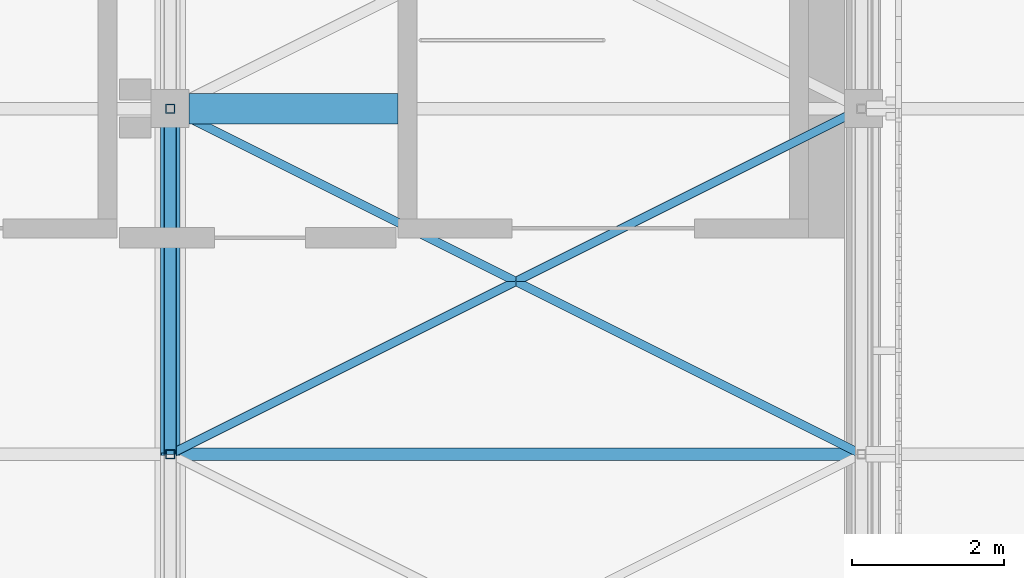
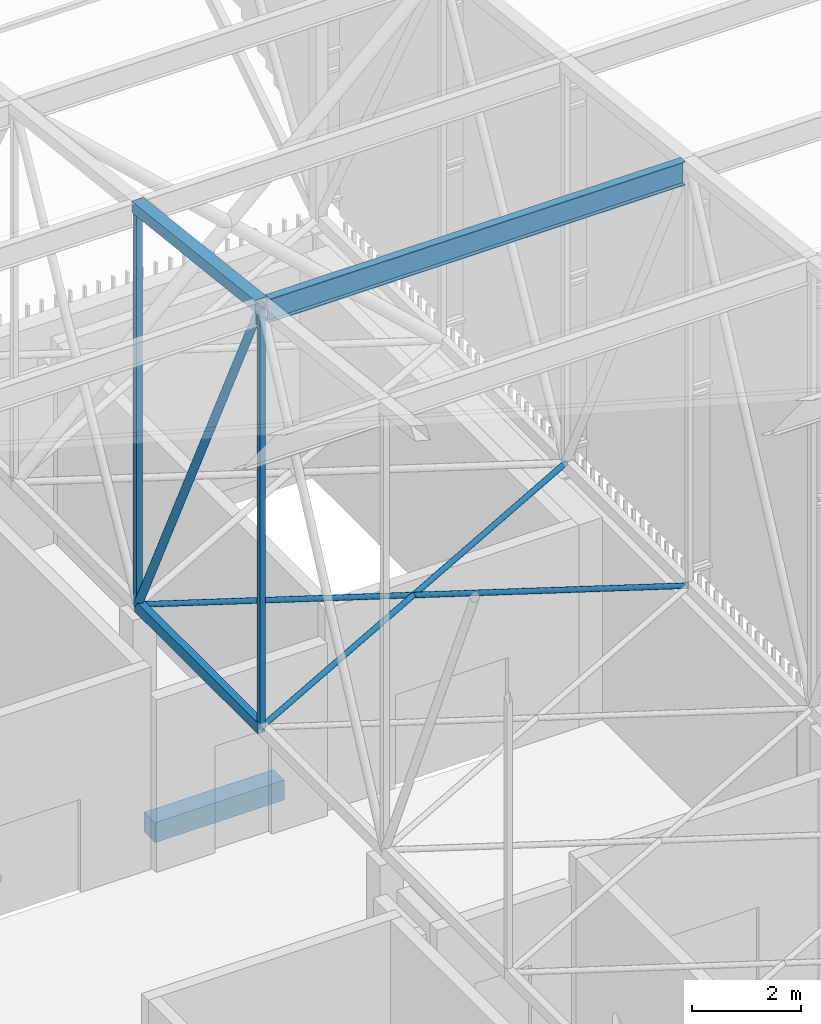
# One storey, part 398 of 500: 8 members, 1 beam.
"""IFC4 building model written with IfcOpenShell, lengths in metres."""

from ifc_helpers import new_model, si_unit, direction, frame, origin, origin_2d, place, context, subcontext, project, spatial, rectangle, hollow_rectangle, hollow_circle, i_section, extrude, material, material_profile, profile_set, type_object, element, save


model = new_model("IFC4")

# Units and contexts
model_context = context("Model", 3, precision=1e-05, world=origin(), true_north=direction((0.0, 1.0)))
body_context = subcontext(model_context, "Body", "Model", "MODEL_VIEW")
ifc_project = project(units=[si_unit("LENGTHUNIT", "METRE"), si_unit("AREAUNIT", "SQUARE_METRE"), si_unit("VOLUMEUNIT", "CUBIC_METRE"), si_unit("PLANEANGLEUNIT", "RADIAN"), si_unit("MASSUNIT", "GRAM", prefix="KILO")], contexts=[model_context])

# Site, building, storey
site_placement = place(None, origin())
site = spatial("IfcSite", under=ifc_project, at=site_placement, CompositionType="ELEMENT")
building_placement = place(site_placement, origin())
building = spatial("IfcBuilding", under=site, at=building_placement, Name="Shirokan Park Arena", CompositionType="ELEMENT")
storey_placement = place(building_placement, frame((0.0, 0.0, 29.1201171875)))
storey = spatial("IfcBuildingStorey", under=building, at=storey_placement, Name="L06", CompositionType="ELEMENT", Elevation=29.1201171875)

# Members
ifc_material_1 = material(Name="Steel ASTM A500 Grade C", Category="steel")
ifc_material_profile_1 = material_profile(ifc_material_1, hollow_rectangle(XDim=0.152099609375, YDim=0.25390625, WallThickness=0.009521484375, at=origin_2d()), Name="HSS254X152.4X9.5")
ifc_profile_set_1 = profile_set([ifc_material_profile_1], Name="Steel ASTM A500 Grade C")
member_type_1 = type_object("IfcMemberType", Name="Bottom chord HSS254X152.4X9.5", PredefinedType="CHORD", material=ifc_profile_set_1)
member_1_placement = place(storey_placement, frame((136.5, 95.550048828125, 4.677001953125), z_axis=(0.0, 1.0, 0.0), x_axis=(-1.0, 0.0, 0.0)))
element("IfcMember", 1, at=member_1_placement, inside=storey, type_object=member_type_1, Name="Truss T16 bottom chord 24", PredefinedType="CHORD", context=body_context, shape_type="SweptSolid", body=[
    extrude(hollow_rectangle(XDim=0.152099609375, YDim=0.25390625, WallThickness=0.009521484375, at=origin_2d()), origin(), (0.0, 0.0, 1.0), 4.550048828125),
])
ifc_material_profile_2 = material_profile(ifc_material_1, hollow_circle(Radius=0.056884765625, WallThickness=0.006103515625, at=origin_2d()), Name="HSS114.3X6")
ifc_profile_set_2 = profile_set([ifc_material_profile_2], Name="Steel ASTM A500 Grade C")
member_type_2 = type_object("IfcMemberType", Name="Plan bracing HSS114.3X6", PredefinedType="BRACE", material=ifc_profile_set_2)
for number, where, z_axis, x_axis, name in (
    (2, (136.5, 95.550048828125, 4.677001953125), (0.894427191, 0.4472135955, 0.0), (-0.4472135955, 0.894427191, 0.0), "Plan bracing bay 16 panel 24 A"),
    (3, (145.60009765625, 95.550048828125, 4.677001953125), (-0.894427191, 0.4472135955, 0.0), (-0.4472135955, -0.894427191, 0.0), "Plan bracing bay 16 panel 24 B"),
):
    element("IfcMember", number, at=place(storey_placement, frame(where, z_axis=z_axis, x_axis=x_axis)), inside=storey, type_object=member_type_2, Name=name, PredefinedType="BRACE", context=body_context, shape_type="SweptSolid", body=[
        extrude(hollow_circle(Radius=0.056884765625, WallThickness=0.006103515625, at=origin_2d()), origin(), (0.0, 0.0, 1.0), 10.17431640625),
    ])
ifc_material_2 = material(Name="Steel ASTM A992", Category="steel")
ifc_material_profile_3 = material_profile(ifc_material_2, i_section(OverallWidth=0.166015625, OverallDepth=0.528076171875, WebThickness=0.009765625, FlangeThickness=0.013671875, at=origin_2d()), Name="W530X74")
ifc_profile_set_3 = profile_set([ifc_material_profile_3], Name="Steel ASTM A992")
member_type_3 = type_object("IfcMemberType", Name="Purlin W530X74", PredefinedType="PURLIN", material=ifc_profile_set_3)
member_2_placement = place(storey_placement, frame((136.626953125, 95.550048828125, 14.0458984375), z_axis=(1.0, 0.0, 0.0), x_axis=(0.0, 1.0, 0.0)))
element("IfcMember", 4, at=member_2_placement, inside=storey, type_object=member_type_3, Name="Purlin 24 bay 16", PredefinedType="PURLIN", context=body_context, shape_type="SweptSolid", body=[
    extrude(i_section(OverallWidth=0.166015625, OverallDepth=0.528076171875, WebThickness=0.009765625, FlangeThickness=0.013671875, at=origin_2d()), origin(), (0.0, 0.0, 1.0), 8.845947265625),
])

# Beam
ifc_material_3 = material(Name="Concrete C35", Category="concrete")
ifc_material_profile_4 = material_profile(ifc_material_3, rectangle(XDim=0.39990234375, YDim=0.449951171875, at=origin_2d()), Name="400x450")
ifc_profile_set_4 = profile_set([ifc_material_profile_4], Name="Concrete C35")
beam_type = type_object("IfcBeamType", Name="RC trimmer 400x450", PredefinedType="BEAM", material=ifc_profile_set_4)
beam_placement = place(storey_placement, frame((136.75, 100.10009765625, -0.425048828125), z_axis=(1.0, 0.0, 0.0), x_axis=(0.0, 1.0, 0.0)))
element("IfcBeam", 5, at=beam_placement, inside=storey, type_object=beam_type, Name="Girder 16M-17M L06", PredefinedType="BEAM", context=body_context, shape_type="SweptSolid", body=[
    extrude(rectangle(XDim=0.39990234375, YDim=0.449951171875, at=origin_2d()), origin(), (0.0, 0.0, 1.0), 2.75),
])

# Members
ifc_material_profile_5 = material_profile(ifc_material_1, hollow_rectangle(XDim=0.25390625, YDim=0.25390625, WallThickness=0.009521484375, at=origin_2d()), Name="HSS254X254X9.5")
ifc_profile_set_5 = profile_set([ifc_material_profile_5], Name="Steel ASTM A500 Grade C")
member_type_4 = type_object("IfcMemberType", Name="Top chord HSS254X254X9.5", PredefinedType="CHORD", material=ifc_profile_set_5)
member_3_placement = place(storey_placement, frame((136.5, 95.550048828125, 14.182861328125), z_axis=(0.0, 0.993532328996, -0.113549598152), x_axis=(-1.0, 0.0, 0.0)))
element("IfcMember", 6, at=member_3_placement, inside=storey, type_object=member_type_4, Name="Truss T16 top chord 24", PredefinedType="CHORD", context=body_context, shape_type="SweptSolid", body=[
    extrude(hollow_rectangle(XDim=0.25390625, YDim=0.25390625, WallThickness=0.009521484375, at=origin_2d()), origin(), (0.0, 0.0, 1.0), 4.57958984375),
])
ifc_material_profile_6 = material_profile(ifc_material_1, hollow_circle(Radius=0.083984375, WallThickness=0.009521484375, at=origin_2d()), Name="HSS168.3X9.5")
ifc_profile_set_6 = profile_set([ifc_material_profile_6], Name="Steel ASTM A500 Grade C")
member_type_5 = type_object("IfcMemberType", Name="Truss diagonal HSS168.3X9.5", PredefinedType="BRACE", material=ifc_profile_set_6)
member_4_placement = place(storey_placement, frame((136.5, 95.550048828125, 14.182861328125), z_axis=(0.0, 0.431746476626, -0.901994999942), x_axis=(-1.0, 0.0, 0.0)))
element("IfcMember", 7, at=member_4_placement, inside=storey, type_object=member_type_5, Name="Truss T16 diagonal 24", PredefinedType="BRACE", context=body_context, shape_type="SweptSolid", body=[
    extrude(hollow_circle(Radius=0.083984375, WallThickness=0.009521484375, at=origin_2d()), origin(), (0.0, 0.0, 1.0), 10.538818359375),
])
ifc_material_profile_7 = material_profile(ifc_material_1, hollow_rectangle(XDim=0.114013671875, YDim=0.114013671875, WallThickness=0.00634765625, at=origin_2d()), Name="HSS114.3X114.3X6.4")
ifc_profile_set_7 = profile_set([ifc_material_profile_7], Name="Steel ASTM A500 Grade C")
member_type_6 = type_object("IfcMemberType", Name="Truss post HSS114.3X114.3X6.4", PredefinedType="POST", material=ifc_profile_set_7)
member_5_placement = place(storey_placement, frame((136.5, 95.550048828125, 4.677001953125), z_axis=(0.0, 0.0, 1.0), x_axis=(1.0, 0.0, 0.0)))
element("IfcMember", 8, at=member_5_placement, inside=storey, type_object=member_type_6, Name="Truss T16 post 24", PredefinedType="POST", context=body_context, shape_type="SweptSolid", body=[
    extrude(hollow_rectangle(XDim=0.114013671875, YDim=0.114013671875, WallThickness=0.00634765625, at=origin_2d()), origin(), (0.0, 0.0, 1.0), 9.505859375),
])
ifc_material_profile_8 = material_profile(ifc_material_1, hollow_rectangle(XDim=0.126953125, YDim=0.126953125, WallThickness=0.0126953125, at=origin_2d()), Name="HSS127X127X12.7")
ifc_profile_set_8 = profile_set([ifc_material_profile_8], Name="Steel ASTM A500 Grade C")
member_type_7 = type_object("IfcMemberType", Name="Truss post HSS127X127X12.7", PredefinedType="POST", material=ifc_profile_set_8)
member_6_placement = place(storey_placement, frame((136.5, 100.10009765625, 4.677001953125), z_axis=(0.0, 0.0, 1.0), x_axis=(1.0, 0.0, 0.0)))
element("IfcMember", 9, at=member_6_placement, inside=storey, type_object=member_type_7, Name="Truss T16 post 25", PredefinedType="POST", context=body_context, shape_type="SweptSolid", body=[
    extrude(hollow_rectangle(XDim=0.126953125, YDim=0.126953125, WallThickness=0.0126953125, at=origin_2d()), origin(), (0.0, 0.0, 1.0), 8.98583984375),
])

save(model, "model.ifc")
